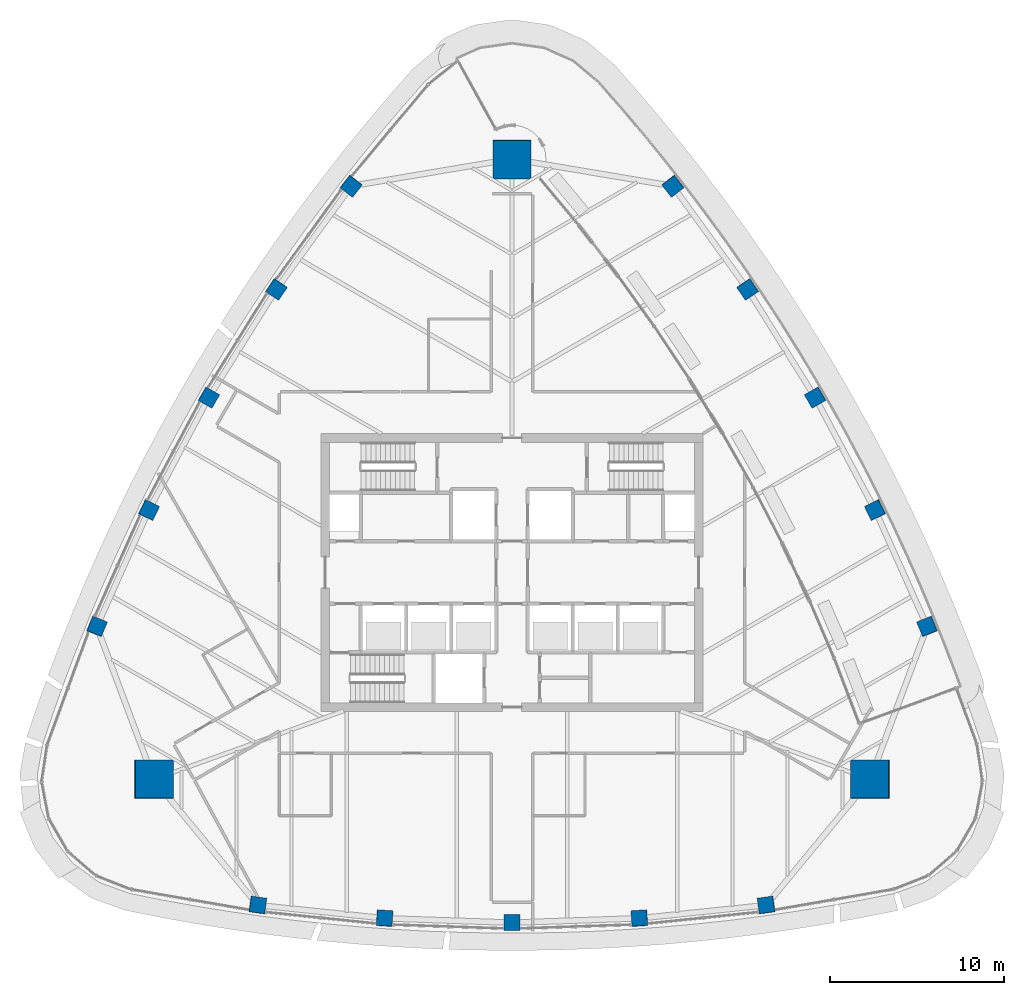
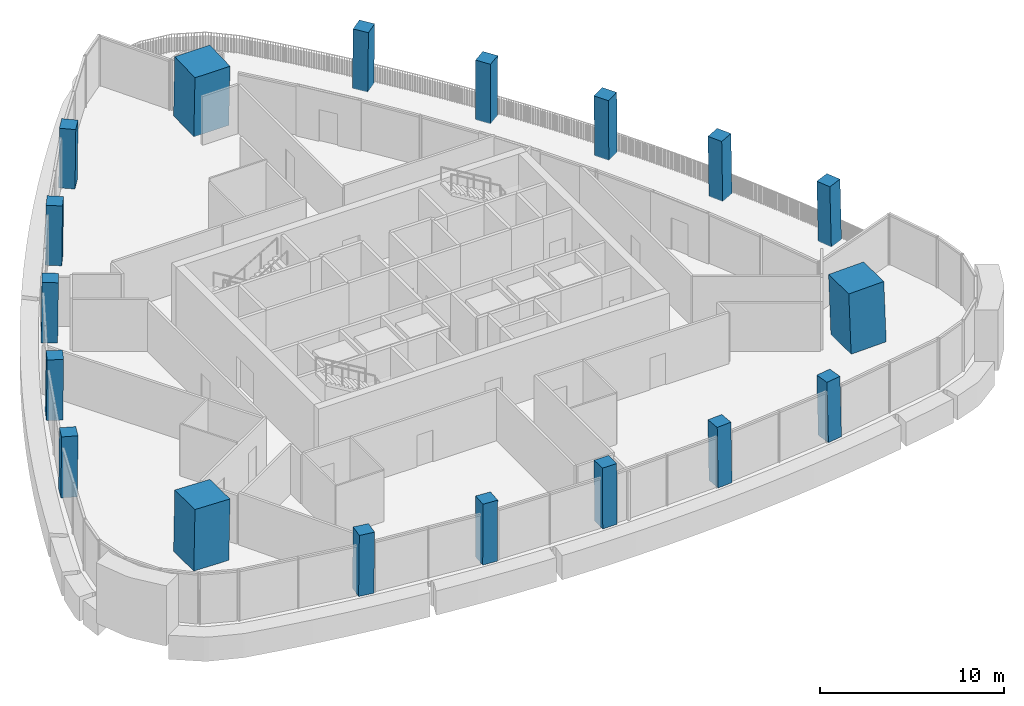
# One storey, part 1 of 18: 18 columns.
"""IFC4 building model written with IfcOpenShell, lengths in metres."""

from ifc_helpers import new_model, si_unit, direction, frame, origin, origin_2d, place, context, subcontext, project, spatial, rectangle, extrude, material, material_profile, profile_set, type_object, element, save


model = new_model("IFC4")

# Units and contexts
model_context = context("Model", 3, precision=1e-05, world=origin(), true_north=direction((0.0, 1.0)))
body_context = subcontext(model_context, "Body", "Model", "MODEL_VIEW")
ifc_project = project(units=[si_unit("LENGTHUNIT", "METRE"), si_unit("AREAUNIT", "SQUARE_METRE"), si_unit("VOLUMEUNIT", "CUBIC_METRE"), si_unit("PLANEANGLEUNIT", "RADIAN"), si_unit("MASSUNIT", "GRAM", prefix="KILO")], contexts=[model_context])

# Site, building, storey
site_placement = place(None, origin())
site = spatial("IfcSite", under=ifc_project, at=site_placement, CompositionType="ELEMENT")
building_placement = place(site_placement, origin())
building = spatial("IfcBuilding", under=site, at=building_placement, Name="Sierra Prisma Convention Tower", CompositionType="ELEMENT")
storey_placement = place(building_placement, frame((0.0, 0.0, 291.0)))
storey = spatial("IfcBuildingStorey", under=building, at=storey_placement, Name="L66", CompositionType="ELEMENT", Elevation=291.0)

# Columns
ifc_material_1 = material(Name="Concrete C50/60", Category="concrete")
ifc_material_profile_1 = material_profile(ifc_material_1, rectangle(XDim=2.199951171875, YDim=2.199951171875, at=origin_2d()), Name="Mega column RC 2200 C50/60")
ifc_profile_set_1 = profile_set([ifc_material_profile_1], Name="Concrete C50/60")
column_type_1 = type_object("IfcColumnType", Name="Mega column RC 2200 C50/60", PredefinedType="COLUMN", material=ifc_profile_set_1)
for number, where, z_axis, x_axis, name in (
    (1, (20.6220703125, -11.90625, 0.0), (-0.027756720281, 0.01604399436, 0.999485945236), (0.999614708015, 0.000445500311, 0.027753144871), "Mega column SE L66"),
    (2, (0.0, 23.8125, 0.0), (0.0, -0.032087959942, 0.999485048826), (1.0, 0.0, 0.0), "Mega column N L66"),
    (3, (-20.6220703125, -11.90625, 0.0), (0.027756720281, 0.01604399436, 0.999485945236), (0.999614708015, -0.000445500311, -0.027753144871), "Mega column SW L66"),
):
    element("IfcColumn", number, at=place(storey_placement, frame(where, z_axis=z_axis, x_axis=x_axis)), inside=storey, type_object=column_type_1, Name=name, PredefinedType="COLUMN", context=body_context, shape_type="SweptSolid", body=[
        extrude(rectangle(XDim=2.199951171875, YDim=2.199951171875, at=origin_2d()), origin(), (0.0, 0.0, 1.0), 4.001953125),
    ])
ifc_material_2 = material(Name="Concrete C50/60", Category="concrete")
ifc_material_profile_2 = material_profile(ifc_material_2, rectangle(XDim=0.89990234375, YDim=0.89990234375, at=origin_2d()), Name="Perimeter column RC 900 C50/60")
ifc_profile_set_2 = profile_set([ifc_material_profile_2], Name="Concrete C50/60")
column_type_2 = type_object("IfcColumnType", Name="Perimeter column RC 900 C50/60", PredefinedType="COLUMN", material=ifc_profile_set_2)
column_1_placement = place(storey_placement, frame((-14.6416015625, -19.147705078125, 0.0), z_axis=(0.017452456582, 0.010373837829, 0.999793876381), x_axis=(-0.99038951846, 0.137393509371, 0.015862701763)))
element("IfcColumn", 4, at=column_1_placement, inside=storey, type_object=column_type_2, Name="Perimeter column S-1 L66", PredefinedType="COLUMN", context=body_context, shape_type="SweptSolid", body=[
    extrude(rectangle(XDim=0.89990234375, YDim=0.89990234375, at=origin_2d()), origin(), (0.0, 0.0, 1.0), 4.000732421875),
])
column_2_placement = place(storey_placement, frame((-7.338134765625, -19.904541015625, 0.0), z_axis=(0.008727150594, 0.011168311599, 0.999899547784), x_axis=(-0.997594360715, 0.068865682036, 0.007937840196)))
element("IfcColumn", 5, at=column_2_placement, inside=storey, type_object=column_type_2, Name="Perimeter column S-2 L66", PredefinedType="COLUMN", context=body_context, shape_type="SweptSolid", body=[
    extrude(rectangle(XDim=0.89990234375, YDim=0.89990234375, at=origin_2d()), origin(), (0.0, 0.0, 1.0), 4.00048828125),
])
column_3_placement = place(storey_placement, frame((0.0, -20.156982421875, 0.0), z_axis=(0.0, 0.01141283087, 0.999934871525), x_axis=(1.0, 0.0, 0.0)))
element("IfcColumn", 6, at=column_3_placement, inside=storey, type_object=column_type_2, Name="Perimeter column S-3 L66", PredefinedType="COLUMN", context=body_context, shape_type="SweptSolid", body=[
    extrude(rectangle(XDim=0.89990234375, YDim=0.89990234375, at=origin_2d()), origin(), (0.0, 0.0, 1.0), 4.000244140625),
])
column_4_placement = place(storey_placement, frame((7.338134765625, -19.904541015625, 0.0), z_axis=(-0.008727150594, 0.011168311599, 0.999899547784), x_axis=(0.997594360715, 0.068865682036, 0.007937840196)))
element("IfcColumn", 7, at=column_4_placement, inside=storey, type_object=column_type_2, Name="Perimeter column S-4 L66", PredefinedType="COLUMN", context=body_context, shape_type="SweptSolid", body=[
    extrude(rectangle(XDim=0.89990234375, YDim=0.89990234375, at=origin_2d()), origin(), (0.0, 0.0, 1.0), 4.00048828125),
])
for number, where, z_axis, x_axis, name in (
    (8, (14.6416015625, -19.147705078125, 0.0), (-0.017452456582, 0.010373837829, 0.999793876381), (0.99038951846, 0.137393509371, 0.015862701763), "Perimeter column S-5 L66"),
    (9, (23.9033203125, -3.106201171875, 0.0), (-0.017696547774, 0.0099466803, 0.999793926641), (-0.376373911241, 0.926331785615, -0.015877716999), "Perimeter column NE-1 L66"),
):
    element("IfcColumn", number, at=place(storey_placement, frame(where, z_axis=z_axis, x_axis=x_axis)), inside=storey, type_object=column_type_2, Name=name, PredefinedType="COLUMN", context=body_context, shape_type="SweptSolid", body=[
        extrude(rectangle(XDim=0.89990234375, YDim=0.89990234375, at=origin_2d()), origin(), (0.0, 0.0, 1.0), 4.000732421875),
    ])
column_5_placement = place(storey_placement, frame((20.906982421875, 3.59716796875, 0.0), z_axis=(-0.014097691364, 0.002013955909, 0.999898594398), x_axis=(-0.439213591989, 0.89834703181, -0.008001940417)))
element("IfcColumn", 10, at=column_5_placement, inside=storey, type_object=column_type_2, Name="Perimeter column NE-2 L66", PredefinedType="COLUMN", context=body_context, shape_type="SweptSolid", body=[
    extrude(rectangle(XDim=0.89990234375, YDim=0.89990234375, at=origin_2d()), origin(), (0.0, 0.0, 1.0), 4.00048828125),
])
column_6_placement = place(storey_placement, frame((17.45654296875, 10.07861328125, 0.0), z_axis=(-0.009887049298, -0.00573692984, 0.999934664812), x_axis=(-0.499975560967, 0.866039512843, 2.5126546e-05)))
element("IfcColumn", 11, at=column_6_placement, inside=storey, type_object=column_type_2, Name="Perimeter column NE-3 L66", PredefinedType="COLUMN", context=body_context, shape_type="SweptSolid", body=[
    extrude(rectangle(XDim=0.89990234375, YDim=0.89990234375, at=origin_2d()), origin(), (0.0, 0.0, 1.0), 4.000244140625),
])
column_7_placement = place(storey_placement, frame((13.568603515625, 16.307373046875, 0.0), z_axis=(-0.005248495047, -0.01318226663, 0.999899335506), x_axis=(-0.558367417878, 0.829555143719, 0.008005634345)))
element("IfcColumn", 12, at=column_7_placement, inside=storey, type_object=column_type_2, Name="Perimeter column NE-4 L66", PredefinedType="COLUMN", context=body_context, shape_type="SweptSolid", body=[
    extrude(rectangle(XDim=0.89990234375, YDim=0.89990234375, at=origin_2d()), origin(), (0.0, 0.0, 1.0), 4.00048828125),
])
for number, where, z_axis, x_axis, name in (
    (13, (9.26171875, 22.25390625, 0.0), (-0.000305112753, -0.020320509381, 0.999793470575), (-0.614107495658, 0.789063216176, 0.015850067963), "Perimeter column NE-5 L66"),
    (14, (-9.26171875, 22.25390625, 0.0), (0.000305112753, -0.020320509381, 0.999793470575), (0.614107495658, 0.789063216176, 0.015850067963), "Perimeter column NW-1 L66"),
):
    element("IfcColumn", number, at=place(storey_placement, frame(where, z_axis=z_axis, x_axis=x_axis)), inside=storey, type_object=column_type_2, Name=name, PredefinedType="COLUMN", context=body_context, shape_type="SweptSolid", body=[
        extrude(rectangle(XDim=0.89990234375, YDim=0.89990234375, at=origin_2d()), origin(), (0.0, 0.0, 1.0), 4.000732421875),
    ])
column_8_placement = place(storey_placement, frame((-13.568603515625, 16.307373046875, 0.0), z_axis=(0.005248495047, -0.01318226663, 0.999899335506), x_axis=(0.558367417878, 0.829555143719, 0.008005634345)))
element("IfcColumn", 15, at=column_8_placement, inside=storey, type_object=column_type_2, Name="Perimeter column NW-2 L66", PredefinedType="COLUMN", context=body_context, shape_type="SweptSolid", body=[
    extrude(rectangle(XDim=0.89990234375, YDim=0.89990234375, at=origin_2d()), origin(), (0.0, 0.0, 1.0), 4.00048828125),
])
column_9_placement = place(storey_placement, frame((-17.45654296875, 10.07861328125, 0.0), z_axis=(0.009887049298, -0.00573692984, 0.999934664812), x_axis=(0.499975560967, 0.866039512843, 2.5126546e-05)))
element("IfcColumn", 16, at=column_9_placement, inside=storey, type_object=column_type_2, Name="Perimeter column NW-3 L66", PredefinedType="COLUMN", context=body_context, shape_type="SweptSolid", body=[
    extrude(rectangle(XDim=0.89990234375, YDim=0.89990234375, at=origin_2d()), origin(), (0.0, 0.0, 1.0), 4.000244140625),
])
column_10_placement = place(storey_placement, frame((-20.906982421875, 3.59716796875, 0.0), z_axis=(0.014097691364, 0.002013955909, 0.999898594398), x_axis=(0.439213591989, 0.89834703181, -0.008001940417)))
element("IfcColumn", 17, at=column_10_placement, inside=storey, type_object=column_type_2, Name="Perimeter column NW-4 L66", PredefinedType="COLUMN", context=body_context, shape_type="SweptSolid", body=[
    extrude(rectangle(XDim=0.89990234375, YDim=0.89990234375, at=origin_2d()), origin(), (0.0, 0.0, 1.0), 4.00048828125),
])
column_11_placement = place(storey_placement, frame((-23.9033203125, -3.106201171875, 0.0), z_axis=(0.017696547774, 0.0099466803, 0.999793926641), x_axis=(0.376373911241, 0.926331785615, -0.015877716999)))
element("IfcColumn", 18, at=column_11_placement, inside=storey, type_object=column_type_2, Name="Perimeter column NW-5 L66", PredefinedType="COLUMN", context=body_context, shape_type="SweptSolid", body=[
    extrude(rectangle(XDim=0.89990234375, YDim=0.89990234375, at=origin_2d()), origin(), (0.0, 0.0, 1.0), 4.000732421875),
])

save(model, "model.ifc")
